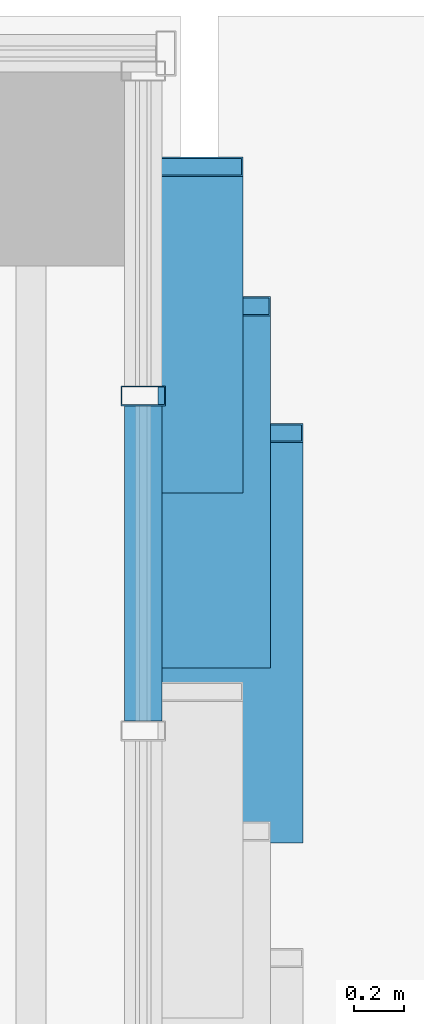
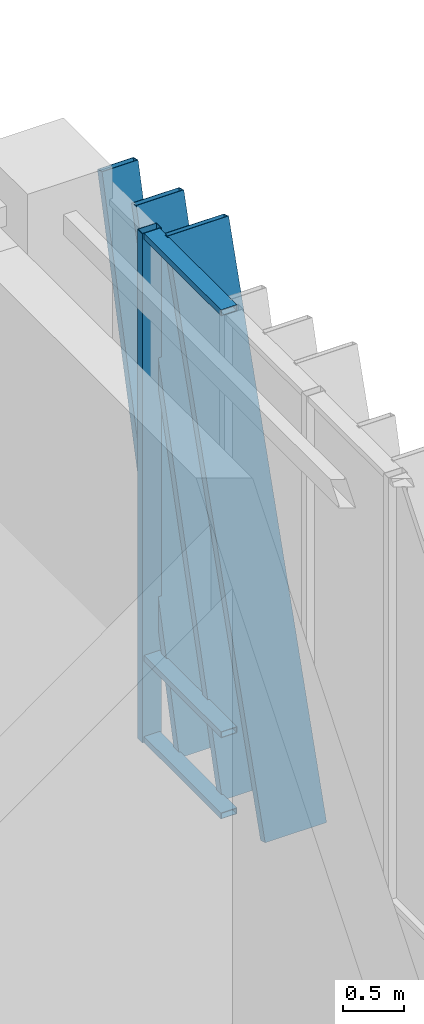
# One storey, part 63 of 122: 7 members, 1 element without a shape of its own.
"""IFC4 building model written with IfcOpenShell, lengths in metres."""

import ifcopenshell
import ifcopenshell.guid

model = None  # the IFC model being written
_history = None  # IfcOwnerHistory: only IFC2X3 demands one
_inside = {}  # id of a spatial element -> (the spatial element, [elements in it])
_under = {}  # id of a project, library or spatial element -> (it, [spatial elements below it])
_declared = {}  # id of a project -> (the project, [libraries it declares])
_typed = {}  # id of a type object -> (the type object, [elements of that type])
_made_of = {}  # id of a material, layer set ... -> (it, [elements and type objects made of it])


def new_model(schema):
    """Start an empty IFC model of exactly this schema.

    Asked for "IFC4X3", IfcOpenShell would pick the latest addendum, in which some entities
    have other attributes; the version numbers below select the first issue.
    IFC2X3 requires an IfcOwnerHistory on every rooted entity: one is made here for all.
    """
    global model, _history
    if schema == "IFC4X3":
        model = ifcopenshell.file(schema_version=(4, 3, 0, 0))
    else:
        model = ifcopenshell.file(schema=schema)
    _inside.clear()
    _under.clear()
    _declared.clear()
    _typed.clear()
    _made_of.clear()
    _history = None
    if model.schema == "IFC2X3":
        org = make("IfcOrganization", Name="unknown")
        user = make(
            "IfcPersonAndOrganization",
            ThePerson=make("IfcPerson", FamilyName="unknown"),
            TheOrganization=org,
        )
        app = make(
            "IfcApplication",
            ApplicationDeveloper=org,
            Version="unknown",
            ApplicationFullName="unknown",
            ApplicationIdentifier="unknown",
        )
        _history = make(
            "IfcOwnerHistory",
            OwningUser=user,
            OwningApplication=app,
            ChangeAction="ADDED",
            CreationDate=0,
        )
    return model


def make(cls, **values):
    """One entity of the class cls with the attributes given. An attribute that is None is left unset."""
    return model.create_entity(
        cls, **{name: value for name, value in values.items() if value is not None}
    )


def rooted(cls, **values):
    """An entity with a GlobalId (a new one), such as an element, a storey or a relation."""
    return make(cls, GlobalId=ifcopenshell.guid.new(), OwnerHistory=_history, **values)


def si_unit(unit_type, name, prefix=None):
    """IfcSIUnit, for example si_unit("LENGTHUNIT", "METRE", prefix="MILLI")."""
    return make("IfcSIUnit", UnitType=unit_type, Prefix=prefix, Name=name)


def assignment(units):
    """IfcUnitAssignment: the units of a project."""
    return None if units is None else make("IfcUnitAssignment", Units=units)


def point(xyz):
    """IfcCartesianPoint."""
    return None if xyz is None else make("IfcCartesianPoint", Coordinates=xyz)


def direction(xyz):
    """IfcDirection."""
    return None if xyz is None else make("IfcDirection", DirectionRatios=xyz)


def frame(location, z_axis=None, x_axis=None):
    """IfcAxis2Placement3D, a coordinate frame: its origin and axes. An axis left out is left unset."""
    return make(
        "IfcAxis2Placement3D",
        Location=point(location),
        Axis=direction(z_axis),
        RefDirection=direction(x_axis),
    )


def frame_2d(location, x_axis=None):
    """IfcAxis2Placement2D, a coordinate frame in the plane: its origin and x axis."""
    return make(
        "IfcAxis2Placement2D", Location=point(location), RefDirection=direction(x_axis)
    )


def origin():
    """The frame at (0, 0, 0) with its axes left unset."""
    return frame((0.0, 0.0, 0.0))


def origin_2d():
    """The frame at (0, 0) in the plane with its x axis left unset."""
    return frame_2d((0.0, 0.0))


def place(relative_to, where):
    """IfcLocalPlacement: puts the frame where relative to a parent placement (None: the world)."""
    return make(
        "IfcLocalPlacement", PlacementRelTo=relative_to, RelativePlacement=where
    )


def context(
    kind, dimensions, precision=None, world=None, true_north=None, identifier=None
):
    """IfcGeometricRepresentationContext, for example the 3D "Model" context."""
    return make(
        "IfcGeometricRepresentationContext",
        ContextIdentifier=identifier,
        ContextType=kind,
        CoordinateSpaceDimension=dimensions,
        Precision=precision,
        WorldCoordinateSystem=world,
        TrueNorth=true_north,
    )


def subcontext(parent, identifier, kind, view, scale=None):
    """IfcGeometricRepresentationSubContext, for example "Body" below "Model"."""
    return make(
        "IfcGeometricRepresentationSubContext",
        ContextIdentifier=identifier,
        ContextType=kind,
        ParentContext=parent,
        TargetScale=scale,
        TargetView=view,
    )


def project(units=None, contexts=None):
    """IfcProject with its units and contexts."""
    return rooted(
        "IfcProject",
        Name="project",
        RepresentationContexts=contexts,
        UnitsInContext=assignment(units),
    )


def spatial(cls, under=None, at=None, **own):
    """A site, building, storey or space (cls), placed at a placement, below another one or the project."""
    s = rooted(cls, ObjectPlacement=at, **own)
    if under is not None:
        _under.setdefault(under.id(), (under, []))[1].append(s)
    return s


def profile(cls, at=None, kind="AREA", **sizes):
    """A parametric profile (cls). Its sizes go by their IFC names, for example OverallWidth=200.0."""
    return make(cls, ProfileType=kind, Position=at, **sizes)


def hollow_rectangle(**sizes):
    """IfcRectangleHollowProfileDef."""
    return profile("IfcRectangleHollowProfileDef", **sizes)


def extrude(swept, where, along, depth):
    """IfcExtrudedAreaSolid: the profile swept, set in the frame where, extruded along a direction by depth."""
    return make(
        "IfcExtrudedAreaSolid",
        SweptArea=swept,
        Position=where,
        ExtrudedDirection=direction(along),
        Depth=depth,
    )


def shape(context_of_items, identifier, shape_type, items):
    """IfcShapeRepresentation: the items that make up one representation, for example the "Body"."""
    return make(
        "IfcShapeRepresentation",
        ContextOfItems=context_of_items,
        RepresentationIdentifier=identifier,
        RepresentationType=shape_type,
        Items=items,
    )


def material(Name=None, Category=None):
    """IfcMaterial."""
    return make("IfcMaterial", Name=Name, Category=Category)


def layer(
    of_material, thickness, ventilated=None, Name=None, Category=None, Priority=None
):
    """IfcMaterialLayer: one layer of a wall or slab, of a material (None: an air gap)."""
    return make(
        "IfcMaterialLayer",
        Material=of_material,
        LayerThickness=thickness,
        IsVentilated=ventilated,
        Name=Name,
        Category=Category,
        Priority=Priority,
    )


def layer_set(layers, Name=None):
    """IfcMaterialLayerSet."""
    return make("IfcMaterialLayerSet", MaterialLayers=layers, LayerSetName=Name)


def material_profile(
    of_material, cross_section, Name=None, Category=None, Priority=None
):
    """IfcMaterialProfile: a cross section and its material."""
    return make(
        "IfcMaterialProfile",
        Name=Name,
        Material=of_material,
        Profile=cross_section,
        Priority=Priority,
        Category=Category,
    )


def profile_set(profiles, Name=None, composite=None):
    """IfcMaterialProfileSet."""
    return make(
        "IfcMaterialProfileSet",
        Name=Name,
        MaterialProfiles=profiles,
        CompositeProfile=composite,
    )


def made_of(thing, what):
    """Note that an element or type object is made of a material, layer set ...; save() writes the relation."""
    if what is not None:
        _made_of.setdefault(what.id(), (what, []))[1].append(thing)
    return thing


def type_object(cls, material=None, **own):
    """A type object (cls), such as IfcWallType, which elements share."""
    return made_of(rooted(cls, **own), material)


def element(
    cls,
    number,
    at=None,
    inside=None,
    cuts=None,
    type_object=None,
    material=None,
    context=None,
    identifier="Body",
    shape_type=None,
    held_by="IfcProductDefinitionShape",
    body=None,
    shapes=None,
    **own,
):
    """One element of the class cls, such as IfcWall. Its Tag is "e" and its number.

    at: its placement. inside: the storey or other place that contains it. cuts: it is an
    opening in that element (IfcRelVoidsElement). A single representation is given by context,
    identifier, shape_type and body (its items); several are given by shapes. held_by: the class
    of the entity that holds the representations. save() writes the other relations.
    """
    e = rooted(cls, Tag="e%d" % number, ObjectPlacement=at, **own)
    if body is not None:
        shapes = [shape(context, identifier, shape_type, body)]
    if shapes is not None:
        e.Representation = make(held_by, Representations=shapes)
    if inside is not None:
        _inside.setdefault(inside.id(), (inside, []))[1].append(e)
    if cuts is not None:
        rooted(
            "IfcRelVoidsElement", RelatingBuildingElement=cuts, RelatedOpeningElement=e
        )
    if type_object is not None:
        _typed.setdefault(type_object.id(), (type_object, []))[1].append(e)
    return made_of(e, material)


def aggregate(whole, parts):
    """IfcRelAggregates: a whole, such as a stair, and the parts it consists of."""
    return rooted("IfcRelAggregates", RelatingObject=whole, RelatedObjects=parts)


def save(model, path):
    """Write the relations noted so far, then the file.

    IfcRelAggregates (storeys below a building ...), IfcRelContainedInSpatialStructure (elements
    in a storey), IfcRelDefinesByType, IfcRelAssociatesMaterial and IfcRelDeclares: one each for
    every whole, place, type object, material and project.
    """
    for whole, parts in _under.values():
        aggregate(whole, parts)
    for where, things in _inside.values():
        rooted(
            "IfcRelContainedInSpatialStructure",
            RelatedElements=things,
            RelatingStructure=where,
        )
    for kind, things in _typed.values():
        rooted("IfcRelDefinesByType", RelatedObjects=things, RelatingType=kind)
    for what, things in _made_of.values():
        rooted("IfcRelAssociatesMaterial", RelatedObjects=things, RelatingMaterial=what)
    for by, libraries in _declared.values():
        rooted("IfcRelDeclares", RelatingContext=by, RelatedDefinitions=libraries)
    model.write(path)


model = new_model("IFC4")

# Units and contexts
model_context = context("Model", 3, precision=1e-05, world=origin(), true_north=direction((0.0, 1.0)))
body_context = subcontext(model_context, "Body", "Model", "MODEL_VIEW")
ifc_project = project(units=[si_unit("LENGTHUNIT", "METRE"), si_unit("AREAUNIT", "SQUARE_METRE"), si_unit("VOLUMEUNIT", "CUBIC_METRE"), si_unit("PLANEANGLEUNIT", "RADIAN"), si_unit("MASSUNIT", "GRAM", prefix="KILO")], contexts=[model_context])

# Site, building, storey
site_placement = place(None, origin())
site = spatial("IfcSite", under=ifc_project, at=site_placement, CompositionType="ELEMENT")
building_placement = place(site_placement, origin())
building = spatial("IfcBuilding", under=site, at=building_placement, Name="Zayran Congress Hotel", CompositionType="ELEMENT")
storey_placement = place(building_placement, origin())
storey = spatial("IfcBuildingStorey", under=building, at=storey_placement, Name="L00", CompositionType="ELEMENT", Elevation=0.0)

# Curtain wall, members
ifc_material_1 = material(Name="Anodised aluminium and low-E insulated glass", Category="aluminium")
ifc_layer = layer(ifc_material_1, 0.179931640625)
ifc_layer_set = layer_set([ifc_layer], Name="Anodised aluminium and low-E insulated glass")
curtain_wall_type = type_object("IfcCurtainWallType", Name="CW-V1E-L00-CW-42-8040-5080", PredefinedType="USERDEFINED", material=ifc_layer_set)
curtain_wall_placement = place(storey_placement, origin())
curtain_wall = element("IfcCurtainWall", 1, at=curtain_wall_placement, inside=storey, type_object=curtain_wall_type, Name="CW-V1E-L00-5", ObjectType="CURTAIN WALL", PredefinedType="USERDEFINED")
ifc_material_2 = material(Name="Anodised aluminium framing", Category="aluminium")
ifc_material_profile_1 = material_profile(ifc_material_2, hollow_rectangle(XDim=0.080078125, YDim=0.179931640625, WallThickness=0.0048828125, at=origin_2d()), Name="RHS 180x80x5")
ifc_profile_set_1 = profile_set([ifc_material_profile_1], Name="Anodised aluminium framing")
member_type_1 = type_object("IfcMemberType", Name="TP-CWM-01", PredefinedType="MULLION", material=ifc_profile_set_1)
member_1_placement = place(storey_placement, frame((92.25, 116.47998046875, 0.0), z_axis=(0.0, 0.0, 1.0), x_axis=(0.0, 1.0, 0.0)))
member_1 = element("IfcMember", 2, at=member_1_placement, type_object=member_type_1, Name="CW-V1E-L00-5-M05", PredefinedType="MULLION", context=body_context, shape_type="SweptSolid", body=[
    extrude(hollow_rectangle(XDim=0.080078125, YDim=0.179931640625, WallThickness=0.0048828125, at=origin_2d()), origin(), (0.0, 0.0, 1.0), 5.080078125),
])
ifc_material_profile_2 = material_profile(ifc_material_2, hollow_rectangle(XDim=0.06005859375, YDim=0.14990234375, WallThickness=0.00390625, at=origin_2d()), Name="RHS 150x60x4")
ifc_profile_set_2 = profile_set([ifc_material_profile_2], Name="Anodised aluminium framing")
member_type_2 = type_object("IfcMemberType", Name="TP-CWT-01", PredefinedType="USERDEFINED", material=ifc_profile_set_2)
member_2_placement = place(storey_placement, frame((92.25, 115.179931640625, 0.030029296875), z_axis=(0.0, 1.0, 0.0), x_axis=(0.0, 0.0, 1.0)))
member_2 = element("IfcMember", 3, at=member_2_placement, type_object=member_type_2, Name="CW-V1E-L00-5-T04-0", ObjectType="TRANSOM", PredefinedType="USERDEFINED", context=body_context, shape_type="SweptSolid", body=[
    extrude(hollow_rectangle(XDim=0.06005859375, YDim=0.14990234375, WallThickness=0.00390625, at=origin_2d()), origin(), (0.0, 0.0, 1.0), 1.260009765625),
])
member_3_placement = place(storey_placement, frame((92.25, 115.179931640625, 0.840087890625), z_axis=(0.0, 1.0, 0.0), x_axis=(0.0, 0.0, 1.0)))
member_3 = element("IfcMember", 4, at=member_3_placement, type_object=member_type_2, Name="CW-V1E-L00-5-T04-1", ObjectType="TRANSOM", PredefinedType="USERDEFINED", context=body_context, shape_type="SweptSolid", body=[
    extrude(hollow_rectangle(XDim=0.06005859375, YDim=0.14990234375, WallThickness=0.00390625, at=origin_2d()), origin(), (0.0, 0.0, 1.0), 1.260009765625),
])
member_4_placement = place(storey_placement, frame((92.25, 115.179931640625, 5.050048828125), z_axis=(0.0, 1.0, 0.0), x_axis=(0.0, 0.0, 1.0)))
member_4 = element("IfcMember", 5, at=member_4_placement, type_object=member_type_2, Name="CW-V1E-L00-5-T04-2", ObjectType="TRANSOM", PredefinedType="USERDEFINED", context=body_context, shape_type="SweptSolid", body=[
    extrude(hollow_rectangle(XDim=0.06005859375, YDim=0.14990234375, WallThickness=0.00390625, at=origin_2d()), origin(), (0.0, 0.0, 1.0), 1.260009765625),
])
ifc_material_3 = material(Name="Warm bronze anodised aluminium", Category="aluminium")
ifc_material_profile_3 = material_profile(ifc_material_3, hollow_rectangle(XDim=0.080078125, YDim=0.580078125, WallThickness=0.006103515625, at=origin_2d()), Name="RHS 580x80x6")
ifc_profile_set_3 = profile_set([ifc_material_profile_3], Name="Warm bronze anodised aluminium")
member_type_3 = type_object("IfcMemberType", Name="TP-RFN-01", PredefinedType="MULLION", material=ifc_profile_set_3)
member_5_placement = place(storey_placement, frame((92.60009765625, 114.72998046875, 0.0), z_axis=(0.0, 0.300716755525, 0.953713496259), x_axis=(0.0, -0.953713496259, 0.300716755525)))
member_5 = element("IfcMember", 6, at=member_5_placement, type_object=member_type_3, Name="Slanting Reed Mullion CW-42-07", PredefinedType="MULLION", context=body_context, shape_type="SweptSolid", body=[
    extrude(hollow_rectangle(XDim=0.080078125, YDim=0.580078125, WallThickness=0.006103515625, at=origin_2d()), origin(), (0.0, 0.0, 1.0), 5.32666015625),
])
ifc_material_profile_4 = material_profile(ifc_material_3, hollow_rectangle(XDim=0.080078125, YDim=0.449951171875, WallThickness=0.006103515625, at=origin_2d()), Name="RHS 450x80x6")
ifc_profile_set_4 = profile_set([ifc_material_profile_4], Name="Warm bronze anodised aluminium")
member_type_4 = type_object("IfcMemberType", Name="TP-RFN-02", PredefinedType="MULLION", material=ifc_profile_set_4)
member_6_placement = place(storey_placement, frame((92.534912109375, 115.429931640625, 0.0), z_axis=(0.0, 0.267256905477, 0.96362531436), x_axis=(0.0, -0.96362531436, 0.267256905477)))
member_6 = element("IfcMember", 7, at=member_6_placement, type_object=member_type_4, Name="Slanting Reed Mullion CW-42-08", PredefinedType="MULLION", context=body_context, shape_type="SweptSolid", body=[
    extrude(hollow_rectangle(XDim=0.080078125, YDim=0.449951171875, WallThickness=0.006103515625, at=origin_2d()), origin(), (0.0, 0.0, 1.0), 5.271728515625),
])
ifc_material_profile_5 = material_profile(ifc_material_3, hollow_rectangle(XDim=0.080078125, YDim=0.340087890625, WallThickness=0.006103515625, at=origin_2d()), Name="RHS 340x80x6")
ifc_profile_set_5 = profile_set([ifc_material_profile_5], Name="Warm bronze anodised aluminium")
member_type_5 = type_object("IfcMemberType", Name="TP-RFN-03", PredefinedType="MULLION", material=ifc_profile_set_5)
member_7_placement = place(storey_placement, frame((92.47998046875, 116.1298828125, 0.0), z_axis=(0.0, 0.241921145618, 0.970295913267), x_axis=(0.0, -0.970295913267, 0.241921145618)))
member_7 = element("IfcMember", 8, at=member_7_placement, type_object=member_type_5, Name="Slanting Reed Mullion CW-42-09", PredefinedType="MULLION", context=body_context, shape_type="SweptSolid", body=[
    extrude(hollow_rectangle(XDim=0.080078125, YDim=0.340087890625, WallThickness=0.006103515625, at=origin_2d()), origin(), (0.0, 0.0, 1.0), 5.235595703125),
])
aggregate(curtain_wall, [member_1, member_2, member_3, member_4, member_5, member_6, member_7])

save(model, "model.ifc")
